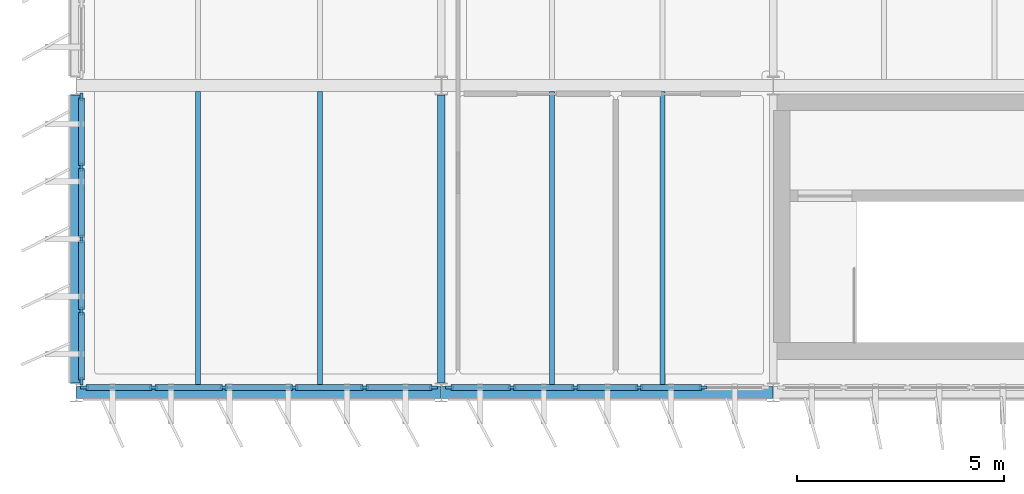
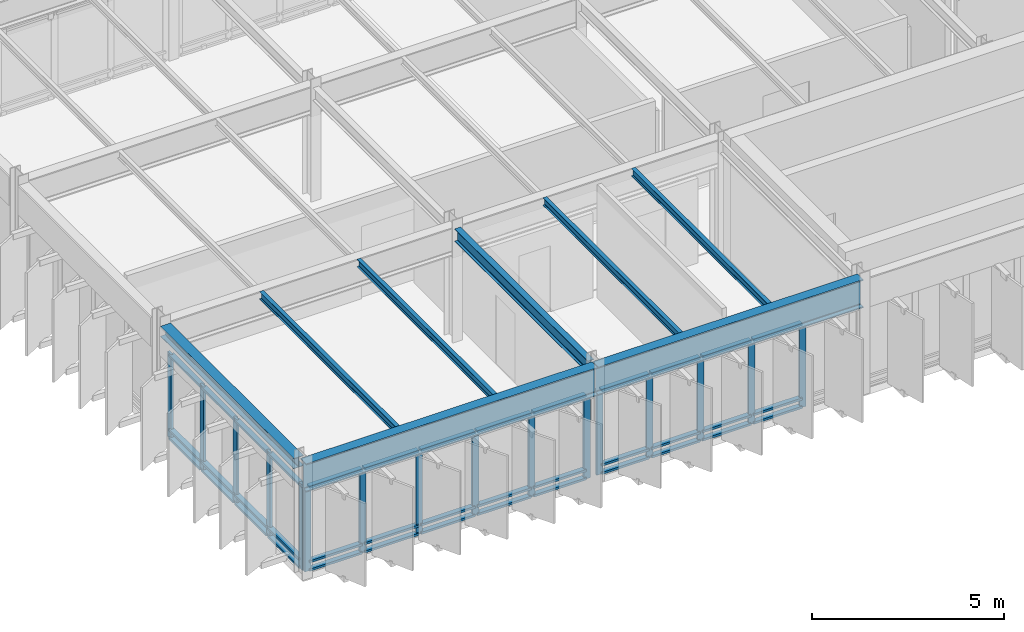
# One storey, part 3 of 20: 55 members, 8 beams, 3 elements without a shape of their own.
"""IFC4 building model written with IfcOpenShell, lengths in metres."""

from ifc_helpers import new_model, si_unit, direction, frame, origin, origin_2d, place, context, subcontext, project, spatial, rectangle, i_section, extrude, material, layer, layer_set, material_profile, profile_set, type_object, element, aggregate, save


model = new_model("IFC4")

# Units and contexts
model_context = context("Model", 3, precision=1e-05, world=origin(), true_north=direction((0.0, 1.0)))
body_context = subcontext(model_context, "Body", "Model", "MODEL_VIEW")
ifc_project = project(units=[si_unit("LENGTHUNIT", "METRE"), si_unit("AREAUNIT", "SQUARE_METRE"), si_unit("VOLUMEUNIT", "CUBIC_METRE"), si_unit("PLANEANGLEUNIT", "RADIAN"), si_unit("MASSUNIT", "GRAM", prefix="KILO")], contexts=[model_context])

# Site, building, storey
site_placement = place(None, origin())
site = spatial("IfcSite", under=ifc_project, at=site_placement, CompositionType="ELEMENT")
building_placement = place(site_placement, origin())
building = spatial("IfcBuilding", under=site, at=building_placement, Name="Valkorina Park Police Headquarters", CompositionType="ELEMENT")
storey_placement = place(building_placement, frame((0.0, 0.0, 31.10009765625)))
storey = spatial("IfcBuildingStorey", under=building, at=storey_placement, Name="L08", CompositionType="ELEMENT", Elevation=31.10009765625)

# Beams
ifc_material_1 = material(Name="Steel S355", Category="steel")
ifc_material_profile_1 = material_profile(ifc_material_1, i_section(OverallWidth=0.300048828125, OverallDepth=0.330078125, WebThickness=0.009521484375, FlangeThickness=0.0166015625, FilletRadius=0.027099609375, at=origin_2d()), Name="HEA 340")
ifc_profile_set_1 = profile_set([ifc_material_profile_1], Name="Steel S355")
beam_type_1 = type_object("IfcBeamType", Name="BM-S355-HEA340-SPN", PredefinedType="SPANDREL", material=ifc_profile_set_1)
beam_1_placement = place(storey_placement, frame((0.0, 37.22509765625, 3.454833984375), z_axis=(0.0, 1.0, 0.0), x_axis=(-1.0, 0.0, 0.0)))
element("IfcBeam", 1, at=beam_1_placement, inside=storey, type_object=beam_type_1, Name="L08 Framing Beam 2818", PredefinedType="SPANDREL", context=body_context, shape_type="SweptSolid", body=[
    extrude(i_section(OverallWidth=0.300048828125, OverallDepth=0.330078125, WebThickness=0.009521484375, FlangeThickness=0.0166015625, FilletRadius=0.027099609375, at=origin_2d()), origin(), (0.0, 0.0, 1.0), 6.949951171875),
])
ifc_material_profile_2 = material_profile(ifc_material_1, i_section(OverallWidth=0.300048828125, OverallDepth=0.89990234375, WebThickness=0.0185546875, FlangeThickness=0.034912109375, FilletRadius=0.030029296875, at=origin_2d()), Name="HEB 900")
ifc_profile_set_2 = profile_set([ifc_material_profile_2], Name="Steel S355")
beam_type_2 = type_object("IfcBeamType", Name="BM-S355-HEB900-EXT", PredefinedType="SPANDREL", material=ifc_profile_set_2)
beam_2_placement = place(storey_placement, frame((0.007080078125, 37.0, 3.169921875), z_axis=(1.0, 0.0, 0.0), x_axis=(0.0, 1.0, 0.0)))
element("IfcBeam", 2, at=beam_2_placement, inside=storey, type_object=beam_type_2, Name="L08 Framing Beam 2793", PredefinedType="SPANDREL", context=body_context, shape_type="SweptSolid", body=[
    extrude(i_section(OverallWidth=0.300048828125, OverallDepth=0.89990234375, WebThickness=0.0185546875, FlangeThickness=0.034912109375, FilletRadius=0.030029296875, at=origin_2d()), origin(), (0.0, 0.0, 1.0), 8.785888671875),
])
beam_3_placement = place(storey_placement, frame((8.806884765625, 37.0, 3.169921875), z_axis=(1.0, 0.0, 0.0), x_axis=(0.0, 1.0, 0.0)))
element("IfcBeam", 3, at=beam_3_placement, inside=storey, type_object=beam_type_2, Name="L08 Framing Beam 2794", PredefinedType="SPANDREL", context=body_context, shape_type="SweptSolid", body=[
    extrude(i_section(OverallWidth=0.300048828125, OverallDepth=0.89990234375, WebThickness=0.0185546875, FlangeThickness=0.034912109375, FilletRadius=0.030029296875, at=origin_2d()), origin(), (0.0, 0.0, 1.0), 7.986083984375),
])
ifc_material_profile_3 = material_profile(ifc_material_1, i_section(OverallWidth=0.1201171875, OverallDepth=0.239990234375, WebThickness=0.006103515625, FlangeThickness=0.009765625, FilletRadius=0.014892578125, at=origin_2d()), Name="IPE 240")
ifc_profile_set_3 = profile_set([ifc_material_profile_3], Name="Steel S355")
beam_type_3 = type_object("IfcBeamType", Name="BM-S355-IPE240-JST", PredefinedType="JOIST", material=ifc_profile_set_3)
for number, where, z_axis, x_axis, name in (
    (4, (2.933349609375, 37.14990234375, 3.5), (0.0, 1.0, 0.0), (-1.0, 0.0, 0.0), "L08 Framing Beam 2819"),
    (5, (5.86669921875, 37.14990234375, 3.5), (0.0, 1.0, 0.0), (-1.0, 0.0, 0.0), "L08 Framing Beam 2820"),
    (6, (11.466796875, 37.14990234375, 3.5), (0.0, 1.0, 0.0), (-1.0, 0.0, 0.0), "L08 Framing Beam 2828"),
    (7, (14.13330078125, 37.14990234375, 3.5), (0.0, 1.0, 0.0), (-1.0, 0.0, 0.0), "L08 Framing Beam 2829"),
):
    element("IfcBeam", number, at=place(storey_placement, frame(where, z_axis=z_axis, x_axis=x_axis)), inside=storey, type_object=beam_type_3, Name=name, PredefinedType="JOIST", context=body_context, shape_type="SweptSolid", body=[
        extrude(i_section(OverallWidth=0.1201171875, OverallDepth=0.239990234375, WebThickness=0.006103515625, FlangeThickness=0.009765625, FilletRadius=0.014892578125, at=origin_2d()), origin(), (0.0, 0.0, 1.0), 7.10009765625),
    ])
ifc_material_profile_4 = material_profile(ifc_material_1, i_section(OverallWidth=0.179931640625, OverallDepth=0.39990234375, WebThickness=0.008544921875, FlangeThickness=0.013427734375, FilletRadius=0.02099609375, at=origin_2d()), Name="IPE 400")
ifc_profile_set_4 = profile_set([ifc_material_profile_4], Name="Steel S355")
beam_type_4 = type_object("IfcBeamType", Name="BM-S355-IPE400-BM", PredefinedType="BEAM", material=ifc_profile_set_4)
beam_4_placement = place(storey_placement, frame((8.800048828125, 37.22509765625, 3.419921875), z_axis=(0.0, 1.0, 0.0), x_axis=(-1.0, 0.0, 0.0)))
element("IfcBeam", 8, at=beam_4_placement, inside=storey, type_object=beam_type_4, Name="L08 Framing Beam 2827", PredefinedType="BEAM", context=body_context, shape_type="SweptSolid", body=[
    extrude(i_section(OverallWidth=0.179931640625, OverallDepth=0.39990234375, WebThickness=0.008544921875, FlangeThickness=0.013427734375, FilletRadius=0.02099609375, at=origin_2d()), origin(), (0.0, 0.0, 1.0), 6.949951171875),
])

# Curtain wall, members
ifc_material_2 = material(Name="Thermally broken aluminium AW-6060", Category="aluminium")
ifc_layer_1 = layer(ifc_material_2, 0.18994140625)
ifc_layer_set_1 = layer_set([ifc_layer_1], Name="Thermally broken aluminium AW-6060")
curtain_wall_type_1 = type_object("IfcCurtainWallType", Name="CW-V5-7680x2710", PredefinedType="NOTDEFINED", material=ifc_layer_set_1)
curtain_wall_1_placement = place(storey_placement, origin())
curtain_wall_1 = element("IfcCurtainWall", 9, at=curtain_wall_1_placement, inside=storey, type_object=curtain_wall_type_1, Name="L08 Unitised Curtain Wall 161", PredefinedType="NOTDEFINED")
ifc_material_profile_5 = material_profile(ifc_material_2, rectangle(XDim=0.070068359375, YDim=0.18994140625, at=origin_2d()), Name="CWM-02 70x190")
ifc_profile_set_5 = profile_set([ifc_material_profile_5], Name="Thermally broken aluminium AW-6060")
member_type_1 = type_object("IfcMemberType", Name="CWM-70x190", PredefinedType="MULLION", material=ifc_profile_set_5)
member_1_placement = place(storey_placement, frame((15.10400390625, 37.1201171875, 0.0), z_axis=(0.0, 0.0, 1.0), x_axis=(0.0, -1.0, 0.0)))
member_1 = element("IfcMember", 10, at=member_1_placement, type_object=member_type_1, Name="CW-V5-768-271 mullion 2", PredefinedType="MULLION", context=body_context, shape_type="SweptSolid", body=[
    extrude(rectangle(XDim=0.070068359375, YDim=0.18994140625, at=origin_2d()), origin(), (0.0, 0.0, 1.0), 2.7099609375),
])
member_2_placement = place(storey_placement, frame((13.568115234375, 37.1201171875, 0.0), z_axis=(0.0, 0.0, 1.0), x_axis=(0.0, -1.0, 0.0)))
member_2 = element("IfcMember", 11, at=member_2_placement, type_object=member_type_1, Name="CW-V5-768-271 mullion 3", PredefinedType="MULLION", context=body_context, shape_type="SweptSolid", body=[
    extrude(rectangle(XDim=0.070068359375, YDim=0.18994140625, at=origin_2d()), origin(), (0.0, 0.0, 1.0), 2.7099609375),
])
member_3_placement = place(storey_placement, frame((12.031982421875, 37.1201171875, 0.0), z_axis=(0.0, 0.0, 1.0), x_axis=(0.0, -1.0, 0.0)))
member_3 = element("IfcMember", 12, at=member_3_placement, type_object=member_type_1, Name="CW-V5-768-271 mullion 4", PredefinedType="MULLION", context=body_context, shape_type="SweptSolid", body=[
    extrude(rectangle(XDim=0.070068359375, YDim=0.18994140625, at=origin_2d()), origin(), (0.0, 0.0, 1.0), 2.7099609375),
])
member_4_placement = place(storey_placement, frame((10.49609375, 37.1201171875, 0.0), z_axis=(0.0, 0.0, 1.0), x_axis=(0.0, -1.0, 0.0)))
member_4 = element("IfcMember", 13, at=member_4_placement, type_object=member_type_1, Name="CW-V5-768-271 mullion 5", PredefinedType="MULLION", context=body_context, shape_type="SweptSolid", body=[
    extrude(rectangle(XDim=0.070068359375, YDim=0.18994140625, at=origin_2d()), origin(), (0.0, 0.0, 1.0), 2.7099609375),
])
member_5_placement = place(storey_placement, frame((8.9951171875, 37.1201171875, 0.0), z_axis=(0.0, 0.0, 1.0), x_axis=(0.0, -1.0, 0.0)))
member_5 = element("IfcMember", 14, at=member_5_placement, type_object=member_type_1, Name="CW-V5-768-271 mullion 6", PredefinedType="MULLION", context=body_context, shape_type="SweptSolid", body=[
    extrude(rectangle(XDim=0.070068359375, YDim=0.18994140625, at=origin_2d()), origin(), (0.0, 0.0, 1.0), 2.7099609375),
])

ifc_layer_2 = layer(ifc_material_2, 0.18994140625)
ifc_layer_set_2 = layer_set([ifc_layer_2], Name="Thermally broken aluminium AW-6060")
curtain_wall_type_2 = type_object("IfcCurtainWallType", Name="CW-V5-8480x2710", PredefinedType="NOTDEFINED", material=ifc_layer_set_2)
curtain_wall_2_placement = place(storey_placement, origin())
curtain_wall_2 = element("IfcCurtainWall", 15, at=curtain_wall_2_placement, inside=storey, type_object=curtain_wall_type_2, Name="L08 Unitised Curtain Wall 162", PredefinedType="NOTDEFINED")
member_6_placement = place(storey_placement, frame((8.60498046875, 37.1201171875, 0.0), z_axis=(0.0, 0.0, 1.0), x_axis=(0.0, -1.0, 0.0)))
member_6 = element("IfcMember", 16, at=member_6_placement, type_object=member_type_1, Name="CW-V5-848-271 mullion 1", PredefinedType="MULLION", context=body_context, shape_type="SweptSolid", body=[
    extrude(rectangle(XDim=0.070068359375, YDim=0.18994140625, at=origin_2d()), origin(), (0.0, 0.0, 1.0), 2.7099609375),
])
member_7_placement = place(storey_placement, frame((6.944091796875, 37.1201171875, 0.0), z_axis=(0.0, 0.0, 1.0), x_axis=(0.0, -1.0, 0.0)))
member_7 = element("IfcMember", 17, at=member_7_placement, type_object=member_type_1, Name="CW-V5-848-271 mullion 2", PredefinedType="MULLION", context=body_context, shape_type="SweptSolid", body=[
    extrude(rectangle(XDim=0.070068359375, YDim=0.18994140625, at=origin_2d()), origin(), (0.0, 0.0, 1.0), 2.7099609375),
])
member_8_placement = place(storey_placement, frame((5.248046875, 37.1201171875, 0.0), z_axis=(0.0, 0.0, 1.0), x_axis=(0.0, -1.0, 0.0)))
member_8 = element("IfcMember", 18, at=member_8_placement, type_object=member_type_1, Name="CW-V5-848-271 mullion 3", PredefinedType="MULLION", context=body_context, shape_type="SweptSolid", body=[
    extrude(rectangle(XDim=0.070068359375, YDim=0.18994140625, at=origin_2d()), origin(), (0.0, 0.0, 1.0), 2.7099609375),
])
member_9_placement = place(storey_placement, frame((3.552001953125, 37.1201171875, 0.0), z_axis=(0.0, 0.0, 1.0), x_axis=(0.0, -1.0, 0.0)))
member_9 = element("IfcMember", 19, at=member_9_placement, type_object=member_type_1, Name="CW-V5-848-271 mullion 4", PredefinedType="MULLION", context=body_context, shape_type="SweptSolid", body=[
    extrude(rectangle(XDim=0.070068359375, YDim=0.18994140625, at=origin_2d()), origin(), (0.0, 0.0, 1.0), 2.7099609375),
])
member_10_placement = place(storey_placement, frame((1.85595703125, 37.1201171875, 0.0), z_axis=(0.0, 0.0, 1.0), x_axis=(0.0, -1.0, 0.0)))
member_10 = element("IfcMember", 20, at=member_10_placement, type_object=member_type_1, Name="CW-V5-848-271 mullion 5", PredefinedType="MULLION", context=body_context, shape_type="SweptSolid", body=[
    extrude(rectangle(XDim=0.070068359375, YDim=0.18994140625, at=origin_2d()), origin(), (0.0, 0.0, 1.0), 2.7099609375),
])
member_11_placement = place(storey_placement, frame((0.195068359375, 37.1201171875, 0.0), z_axis=(0.0, 0.0, 1.0), x_axis=(0.0, -1.0, 0.0)))
member_11 = element("IfcMember", 21, at=member_11_placement, type_object=member_type_1, Name="CW-V5-848-271 mullion 6", PredefinedType="MULLION", context=body_context, shape_type="SweptSolid", body=[
    extrude(rectangle(XDim=0.070068359375, YDim=0.18994140625, at=origin_2d()), origin(), (0.0, 0.0, 1.0), 2.7099609375),
])

ifc_layer_3 = layer(ifc_material_2, 0.18994140625)
ifc_layer_set_3 = layer_set([ifc_layer_3], Name="Thermally broken aluminium AW-6060")
curtain_wall_type_3 = type_object("IfcCurtainWallType", Name="CW-V5-6930x2710", PredefinedType="NOTDEFINED", material=ifc_layer_set_3)
curtain_wall_3_placement = place(storey_placement, origin())
curtain_wall_3 = element("IfcCurtainWall", 22, at=curtain_wall_3_placement, inside=storey, type_object=curtain_wall_type_3, Name="L08 Unitised Curtain Wall 163", PredefinedType="NOTDEFINED")
member_12_placement = place(storey_placement, frame((0.1201171875, 37.27001953125, 0.0), z_axis=(0.0, 0.0, 1.0), x_axis=(-1.0, 0.0, 0.0)))
member_12 = element("IfcMember", 23, at=member_12_placement, type_object=member_type_1, Name="CW-V5-693-271 mullion 1", PredefinedType="MULLION", context=body_context, shape_type="SweptSolid", body=[
    extrude(rectangle(XDim=0.070068359375, YDim=0.18994140625, at=origin_2d()), origin(), (0.0, 0.0, 1.0), 2.7099609375),
])
member_13_placement = place(storey_placement, frame((0.1201171875, 38.967529296875, 0.0), z_axis=(0.0, 0.0, 1.0), x_axis=(-1.0, 0.0, 0.0)))
member_13 = element("IfcMember", 24, at=member_13_placement, type_object=member_type_1, Name="CW-V5-693-271 mullion 2", PredefinedType="MULLION", context=body_context, shape_type="SweptSolid", body=[
    extrude(rectangle(XDim=0.070068359375, YDim=0.18994140625, at=origin_2d()), origin(), (0.0, 0.0, 1.0), 2.7099609375),
])
member_14_placement = place(storey_placement, frame((0.1201171875, 40.699951171875, 0.0), z_axis=(0.0, 0.0, 1.0), x_axis=(-1.0, 0.0, 0.0)))
member_14 = element("IfcMember", 25, at=member_14_placement, type_object=member_type_1, Name="CW-V5-693-271 mullion 3", PredefinedType="MULLION", context=body_context, shape_type="SweptSolid", body=[
    extrude(rectangle(XDim=0.070068359375, YDim=0.18994140625, at=origin_2d()), origin(), (0.0, 0.0, 1.0), 2.7099609375),
])
member_15_placement = place(storey_placement, frame((0.1201171875, 42.4326171875, 0.0), z_axis=(0.0, 0.0, 1.0), x_axis=(-1.0, 0.0, 0.0)))
member_15 = element("IfcMember", 26, at=member_15_placement, type_object=member_type_1, Name="CW-V5-693-271 mullion 4", PredefinedType="MULLION", context=body_context, shape_type="SweptSolid", body=[
    extrude(rectangle(XDim=0.070068359375, YDim=0.18994140625, at=origin_2d()), origin(), (0.0, 0.0, 1.0), 2.7099609375),
])
member_16_placement = place(storey_placement, frame((0.1201171875, 44.1298828125, 0.0), z_axis=(0.0, 0.0, 1.0), x_axis=(-1.0, 0.0, 0.0)))
member_16 = element("IfcMember", 27, at=member_16_placement, type_object=member_type_1, Name="CW-V5-693-271 mullion 5", PredefinedType="MULLION", context=body_context, shape_type="SweptSolid", body=[
    extrude(rectangle(XDim=0.070068359375, YDim=0.18994140625, at=origin_2d()), origin(), (0.0, 0.0, 1.0), 2.7099609375),
])

# Member
ifc_material_profile_6 = material_profile(ifc_material_2, rectangle(XDim=0.14990234375, YDim=0.070068359375, at=origin_2d()), Name="CWT-02 150x70")
ifc_profile_set_6 = profile_set([ifc_material_profile_6], Name="Thermally broken aluminium AW-6060")
member_type_2 = type_object("IfcMemberType", Name="CWT-150x70", PredefinedType="USERDEFINED", material=ifc_profile_set_6)
member_17_placement = place(storey_placement, frame((15.069091796875, 37.1201171875, 0.034912109375), z_axis=(-1.0, 0.0, 0.0), x_axis=(0.0, -1.0, 0.0)))
member_17 = element("IfcMember", 28, at=member_17_placement, type_object=member_type_2, Name="CW-V5-768-271 transom 2.1", ObjectType="TRANSOM", PredefinedType="USERDEFINED", context=body_context, shape_type="SweptSolid", body=[
    extrude(rectangle(XDim=0.14990234375, YDim=0.070068359375, at=origin_2d()), origin(), (0.0, 0.0, 1.0), 1.466064453125),
])

member_18_placement = place(storey_placement, frame((15.069091796875, 37.1201171875, 0.2998046875), z_axis=(-1.0, 0.0, 0.0), x_axis=(0.0, -1.0, 0.0)))
member_18 = element("IfcMember", 29, at=member_18_placement, type_object=member_type_2, Name="CW-V5-768-271 transom 2.2", ObjectType="TRANSOM", PredefinedType="USERDEFINED", context=body_context, shape_type="SweptSolid", body=[
    extrude(rectangle(XDim=0.14990234375, YDim=0.070068359375, at=origin_2d()), origin(), (0.0, 0.0, 1.0), 1.466064453125),
])

member_19_placement = place(storey_placement, frame((15.069091796875, 37.1201171875, 2.6748046875), z_axis=(-1.0, 0.0, 0.0), x_axis=(0.0, -1.0, 0.0)))
member_19 = element("IfcMember", 30, at=member_19_placement, type_object=member_type_2, Name="CW-V5-768-271 transom 2.3", ObjectType="TRANSOM", PredefinedType="USERDEFINED", context=body_context, shape_type="SweptSolid", body=[
    extrude(rectangle(XDim=0.14990234375, YDim=0.070068359375, at=origin_2d()), origin(), (0.0, 0.0, 1.0), 1.466064453125),
])

member_20_placement = place(storey_placement, frame((13.532958984375, 37.1201171875, 0.034912109375), z_axis=(-1.0, 0.0, 0.0), x_axis=(0.0, -1.0, 0.0)))
member_20 = element("IfcMember", 31, at=member_20_placement, type_object=member_type_2, Name="CW-V5-768-271 transom 3.1", ObjectType="TRANSOM", PredefinedType="USERDEFINED", context=body_context, shape_type="SweptSolid", body=[
    extrude(rectangle(XDim=0.14990234375, YDim=0.070068359375, at=origin_2d()), origin(), (0.0, 0.0, 1.0), 1.466064453125),
])

member_21_placement = place(storey_placement, frame((13.532958984375, 37.1201171875, 0.2998046875), z_axis=(-1.0, 0.0, 0.0), x_axis=(0.0, -1.0, 0.0)))
member_21 = element("IfcMember", 32, at=member_21_placement, type_object=member_type_2, Name="CW-V5-768-271 transom 3.2", ObjectType="TRANSOM", PredefinedType="USERDEFINED", context=body_context, shape_type="SweptSolid", body=[
    extrude(rectangle(XDim=0.14990234375, YDim=0.070068359375, at=origin_2d()), origin(), (0.0, 0.0, 1.0), 1.466064453125),
])

member_22_placement = place(storey_placement, frame((13.532958984375, 37.1201171875, 2.6748046875), z_axis=(-1.0, 0.0, 0.0), x_axis=(0.0, -1.0, 0.0)))
member_22 = element("IfcMember", 33, at=member_22_placement, type_object=member_type_2, Name="CW-V5-768-271 transom 3.3", ObjectType="TRANSOM", PredefinedType="USERDEFINED", context=body_context, shape_type="SweptSolid", body=[
    extrude(rectangle(XDim=0.14990234375, YDim=0.070068359375, at=origin_2d()), origin(), (0.0, 0.0, 1.0), 1.466064453125),
])

member_23_placement = place(storey_placement, frame((11.9970703125, 37.1201171875, 0.034912109375), z_axis=(-1.0, 0.0, 0.0), x_axis=(0.0, -1.0, 0.0)))
member_23 = element("IfcMember", 34, at=member_23_placement, type_object=member_type_2, Name="CW-V5-768-271 transom 4.1", ObjectType="TRANSOM", PredefinedType="USERDEFINED", context=body_context, shape_type="SweptSolid", body=[
    extrude(rectangle(XDim=0.14990234375, YDim=0.070068359375, at=origin_2d()), origin(), (0.0, 0.0, 1.0), 1.466064453125),
])

member_24_placement = place(storey_placement, frame((11.9970703125, 37.1201171875, 0.2998046875), z_axis=(-1.0, 0.0, 0.0), x_axis=(0.0, -1.0, 0.0)))
member_24 = element("IfcMember", 35, at=member_24_placement, type_object=member_type_2, Name="CW-V5-768-271 transom 4.2", ObjectType="TRANSOM", PredefinedType="USERDEFINED", context=body_context, shape_type="SweptSolid", body=[
    extrude(rectangle(XDim=0.14990234375, YDim=0.070068359375, at=origin_2d()), origin(), (0.0, 0.0, 1.0), 1.466064453125),
])

member_25_placement = place(storey_placement, frame((11.9970703125, 37.1201171875, 2.6748046875), z_axis=(-1.0, 0.0, 0.0), x_axis=(0.0, -1.0, 0.0)))
member_25 = element("IfcMember", 36, at=member_25_placement, type_object=member_type_2, Name="CW-V5-768-271 transom 4.3", ObjectType="TRANSOM", PredefinedType="USERDEFINED", context=body_context, shape_type="SweptSolid", body=[
    extrude(rectangle(XDim=0.14990234375, YDim=0.070068359375, at=origin_2d()), origin(), (0.0, 0.0, 1.0), 1.466064453125),
])

member_26_placement = place(storey_placement, frame((10.4609375, 37.1201171875, 0.034912109375), z_axis=(-1.0, 0.0, 0.0), x_axis=(0.0, -1.0, 0.0)))
member_26 = element("IfcMember", 37, at=member_26_placement, type_object=member_type_2, Name="CW-V5-768-271 transom 5.1", ObjectType="TRANSOM", PredefinedType="USERDEFINED", context=body_context, shape_type="SweptSolid", body=[
    extrude(rectangle(XDim=0.14990234375, YDim=0.070068359375, at=origin_2d()), origin(), (0.0, 0.0, 1.0), 1.430908203125),
])

member_27_placement = place(storey_placement, frame((10.4609375, 37.1201171875, 0.2998046875), z_axis=(-1.0, 0.0, 0.0), x_axis=(0.0, -1.0, 0.0)))
member_27 = element("IfcMember", 38, at=member_27_placement, type_object=member_type_2, Name="CW-V5-768-271 transom 5.2", ObjectType="TRANSOM", PredefinedType="USERDEFINED", context=body_context, shape_type="SweptSolid", body=[
    extrude(rectangle(XDim=0.14990234375, YDim=0.070068359375, at=origin_2d()), origin(), (0.0, 0.0, 1.0), 1.430908203125),
])

member_28_placement = place(storey_placement, frame((10.4609375, 37.1201171875, 2.6748046875), z_axis=(-1.0, 0.0, 0.0), x_axis=(0.0, -1.0, 0.0)))
member_28 = element("IfcMember", 39, at=member_28_placement, type_object=member_type_2, Name="CW-V5-768-271 transom 5.3", ObjectType="TRANSOM", PredefinedType="USERDEFINED", context=body_context, shape_type="SweptSolid", body=[
    extrude(rectangle(XDim=0.14990234375, YDim=0.070068359375, at=origin_2d()), origin(), (0.0, 0.0, 1.0), 1.430908203125),
])

aggregate(curtain_wall_1, [member_1, member_2, member_3, member_4, member_5, member_17, member_18, member_19, member_20, member_21, member_22, member_23, member_24, member_25, member_26, member_27, member_28])

member_29_placement = place(storey_placement, frame((8.570068359375, 37.1201171875, 0.034912109375), z_axis=(-1.0, 0.0, 0.0), x_axis=(0.0, -1.0, 0.0)))
member_29 = element("IfcMember", 40, at=member_29_placement, type_object=member_type_2, Name="CW-V5-848-271 transom 1.1", ObjectType="TRANSOM", PredefinedType="USERDEFINED", context=body_context, shape_type="SweptSolid", body=[
    extrude(rectangle(XDim=0.14990234375, YDim=0.070068359375, at=origin_2d()), origin(), (0.0, 0.0, 1.0), 1.591064453125),
])

member_30_placement = place(storey_placement, frame((8.570068359375, 37.1201171875, 0.2998046875), z_axis=(-1.0, 0.0, 0.0), x_axis=(0.0, -1.0, 0.0)))
member_30 = element("IfcMember", 41, at=member_30_placement, type_object=member_type_2, Name="CW-V5-848-271 transom 1.2", ObjectType="TRANSOM", PredefinedType="USERDEFINED", context=body_context, shape_type="SweptSolid", body=[
    extrude(rectangle(XDim=0.14990234375, YDim=0.070068359375, at=origin_2d()), origin(), (0.0, 0.0, 1.0), 1.591064453125),
])

member_31_placement = place(storey_placement, frame((8.570068359375, 37.1201171875, 2.6748046875), z_axis=(-1.0, 0.0, 0.0), x_axis=(0.0, -1.0, 0.0)))
member_31 = element("IfcMember", 42, at=member_31_placement, type_object=member_type_2, Name="CW-V5-848-271 transom 1.3", ObjectType="TRANSOM", PredefinedType="USERDEFINED", context=body_context, shape_type="SweptSolid", body=[
    extrude(rectangle(XDim=0.14990234375, YDim=0.070068359375, at=origin_2d()), origin(), (0.0, 0.0, 1.0), 1.591064453125),
])

member_32_placement = place(storey_placement, frame((6.908935546875, 37.1201171875, 0.034912109375), z_axis=(-1.0, 0.0, 0.0), x_axis=(0.0, -1.0, 0.0)))
member_32 = element("IfcMember", 43, at=member_32_placement, type_object=member_type_2, Name="CW-V5-848-271 transom 2.1", ObjectType="TRANSOM", PredefinedType="USERDEFINED", context=body_context, shape_type="SweptSolid", body=[
    extrude(rectangle(XDim=0.14990234375, YDim=0.070068359375, at=origin_2d()), origin(), (0.0, 0.0, 1.0), 1.6259765625),
])

member_33_placement = place(storey_placement, frame((6.908935546875, 37.1201171875, 0.2998046875), z_axis=(-1.0, 0.0, 0.0), x_axis=(0.0, -1.0, 0.0)))
member_33 = element("IfcMember", 44, at=member_33_placement, type_object=member_type_2, Name="CW-V5-848-271 transom 2.2", ObjectType="TRANSOM", PredefinedType="USERDEFINED", context=body_context, shape_type="SweptSolid", body=[
    extrude(rectangle(XDim=0.14990234375, YDim=0.070068359375, at=origin_2d()), origin(), (0.0, 0.0, 1.0), 1.6259765625),
])

member_34_placement = place(storey_placement, frame((6.908935546875, 37.1201171875, 2.6748046875), z_axis=(-1.0, 0.0, 0.0), x_axis=(0.0, -1.0, 0.0)))
member_34 = element("IfcMember", 45, at=member_34_placement, type_object=member_type_2, Name="CW-V5-848-271 transom 2.3", ObjectType="TRANSOM", PredefinedType="USERDEFINED", context=body_context, shape_type="SweptSolid", body=[
    extrude(rectangle(XDim=0.14990234375, YDim=0.070068359375, at=origin_2d()), origin(), (0.0, 0.0, 1.0), 1.6259765625),
])

member_35_placement = place(storey_placement, frame((5.212890625, 37.1201171875, 0.034912109375), z_axis=(-1.0, 0.0, 0.0), x_axis=(0.0, -1.0, 0.0)))
member_35 = element("IfcMember", 46, at=member_35_placement, type_object=member_type_2, Name="CW-V5-848-271 transom 3.1", ObjectType="TRANSOM", PredefinedType="USERDEFINED", context=body_context, shape_type="SweptSolid", body=[
    extrude(rectangle(XDim=0.14990234375, YDim=0.070068359375, at=origin_2d()), origin(), (0.0, 0.0, 1.0), 1.6259765625),
])

member_36_placement = place(storey_placement, frame((5.212890625, 37.1201171875, 0.2998046875), z_axis=(-1.0, 0.0, 0.0), x_axis=(0.0, -1.0, 0.0)))
member_36 = element("IfcMember", 47, at=member_36_placement, type_object=member_type_2, Name="CW-V5-848-271 transom 3.2", ObjectType="TRANSOM", PredefinedType="USERDEFINED", context=body_context, shape_type="SweptSolid", body=[
    extrude(rectangle(XDim=0.14990234375, YDim=0.070068359375, at=origin_2d()), origin(), (0.0, 0.0, 1.0), 1.6259765625),
])

member_37_placement = place(storey_placement, frame((5.212890625, 37.1201171875, 2.6748046875), z_axis=(-1.0, 0.0, 0.0), x_axis=(0.0, -1.0, 0.0)))
member_37 = element("IfcMember", 48, at=member_37_placement, type_object=member_type_2, Name="CW-V5-848-271 transom 3.3", ObjectType="TRANSOM", PredefinedType="USERDEFINED", context=body_context, shape_type="SweptSolid", body=[
    extrude(rectangle(XDim=0.14990234375, YDim=0.070068359375, at=origin_2d()), origin(), (0.0, 0.0, 1.0), 1.6259765625),
])

member_38_placement = place(storey_placement, frame((3.51708984375, 37.1201171875, 0.034912109375), z_axis=(-1.0, 0.0, 0.0), x_axis=(0.0, -1.0, 0.0)))
member_38 = element("IfcMember", 49, at=member_38_placement, type_object=member_type_2, Name="CW-V5-848-271 transom 4.1", ObjectType="TRANSOM", PredefinedType="USERDEFINED", context=body_context, shape_type="SweptSolid", body=[
    extrude(rectangle(XDim=0.14990234375, YDim=0.070068359375, at=origin_2d()), origin(), (0.0, 0.0, 1.0), 1.6259765625),
])

member_39_placement = place(storey_placement, frame((3.51708984375, 37.1201171875, 0.2998046875), z_axis=(-1.0, 0.0, 0.0), x_axis=(0.0, -1.0, 0.0)))
member_39 = element("IfcMember", 50, at=member_39_placement, type_object=member_type_2, Name="CW-V5-848-271 transom 4.2", ObjectType="TRANSOM", PredefinedType="USERDEFINED", context=body_context, shape_type="SweptSolid", body=[
    extrude(rectangle(XDim=0.14990234375, YDim=0.070068359375, at=origin_2d()), origin(), (0.0, 0.0, 1.0), 1.6259765625),
])

member_40_placement = place(storey_placement, frame((3.51708984375, 37.1201171875, 2.6748046875), z_axis=(-1.0, 0.0, 0.0), x_axis=(0.0, -1.0, 0.0)))
member_40 = element("IfcMember", 51, at=member_40_placement, type_object=member_type_2, Name="CW-V5-848-271 transom 4.3", ObjectType="TRANSOM", PredefinedType="USERDEFINED", context=body_context, shape_type="SweptSolid", body=[
    extrude(rectangle(XDim=0.14990234375, YDim=0.070068359375, at=origin_2d()), origin(), (0.0, 0.0, 1.0), 1.6259765625),
])

member_41_placement = place(storey_placement, frame((1.821044921875, 37.1201171875, 0.034912109375), z_axis=(-1.0, 0.0, 0.0), x_axis=(0.0, -1.0, 0.0)))
member_41 = element("IfcMember", 52, at=member_41_placement, type_object=member_type_2, Name="CW-V5-848-271 transom 5.1", ObjectType="TRANSOM", PredefinedType="USERDEFINED", context=body_context, shape_type="SweptSolid", body=[
    extrude(rectangle(XDim=0.14990234375, YDim=0.070068359375, at=origin_2d()), origin(), (0.0, 0.0, 1.0), 1.591064453125),
])

member_42_placement = place(storey_placement, frame((1.821044921875, 37.1201171875, 0.2998046875), z_axis=(-1.0, 0.0, 0.0), x_axis=(0.0, -1.0, 0.0)))
member_42 = element("IfcMember", 53, at=member_42_placement, type_object=member_type_2, Name="CW-V5-848-271 transom 5.2", ObjectType="TRANSOM", PredefinedType="USERDEFINED", context=body_context, shape_type="SweptSolid", body=[
    extrude(rectangle(XDim=0.14990234375, YDim=0.070068359375, at=origin_2d()), origin(), (0.0, 0.0, 1.0), 1.591064453125),
])

member_43_placement = place(storey_placement, frame((1.821044921875, 37.1201171875, 2.6748046875), z_axis=(-1.0, 0.0, 0.0), x_axis=(0.0, -1.0, 0.0)))
member_43 = element("IfcMember", 54, at=member_43_placement, type_object=member_type_2, Name="CW-V5-848-271 transom 5.3", ObjectType="TRANSOM", PredefinedType="USERDEFINED", context=body_context, shape_type="SweptSolid", body=[
    extrude(rectangle(XDim=0.14990234375, YDim=0.070068359375, at=origin_2d()), origin(), (0.0, 0.0, 1.0), 1.591064453125),
])

aggregate(curtain_wall_2, [member_6, member_7, member_8, member_9, member_10, member_11, member_29, member_30, member_31, member_32, member_33, member_34, member_35, member_36, member_37, member_38, member_39, member_40, member_41, member_42, member_43])

member_44_placement = place(storey_placement, frame((0.1201171875, 37.304931640625, 0.034912109375), z_axis=(0.0, 1.0, 0.0), x_axis=(-1.0, 0.0, 0.0)))
member_44 = element("IfcMember", 55, at=member_44_placement, type_object=member_type_2, Name="CW-V5-693-271 transom 1.1", ObjectType="TRANSOM", PredefinedType="USERDEFINED", context=body_context, shape_type="SweptSolid", body=[
    extrude(rectangle(XDim=0.14990234375, YDim=0.070068359375, at=origin_2d()), origin(), (0.0, 0.0, 1.0), 1.627685546875),
])

member_45_placement = place(storey_placement, frame((0.1201171875, 37.304931640625, 0.2998046875), z_axis=(0.0, 1.0, 0.0), x_axis=(-1.0, 0.0, 0.0)))
member_45 = element("IfcMember", 56, at=member_45_placement, type_object=member_type_2, Name="CW-V5-693-271 transom 1.2", ObjectType="TRANSOM", PredefinedType="USERDEFINED", context=body_context, shape_type="SweptSolid", body=[
    extrude(rectangle(XDim=0.14990234375, YDim=0.070068359375, at=origin_2d()), origin(), (0.0, 0.0, 1.0), 1.627685546875),
])

member_46_placement = place(storey_placement, frame((0.1201171875, 37.304931640625, 2.6748046875), z_axis=(0.0, 1.0, 0.0), x_axis=(-1.0, 0.0, 0.0)))
member_46 = element("IfcMember", 57, at=member_46_placement, type_object=member_type_2, Name="CW-V5-693-271 transom 1.3", ObjectType="TRANSOM", PredefinedType="USERDEFINED", context=body_context, shape_type="SweptSolid", body=[
    extrude(rectangle(XDim=0.14990234375, YDim=0.070068359375, at=origin_2d()), origin(), (0.0, 0.0, 1.0), 1.627685546875),
])

member_47_placement = place(storey_placement, frame((0.1201171875, 39.00244140625, 0.034912109375), z_axis=(0.0, 1.0, 0.0), x_axis=(-1.0, 0.0, 0.0)))
member_47 = element("IfcMember", 58, at=member_47_placement, type_object=member_type_2, Name="CW-V5-693-271 transom 2.1", ObjectType="TRANSOM", PredefinedType="USERDEFINED", context=body_context, shape_type="SweptSolid", body=[
    extrude(rectangle(XDim=0.14990234375, YDim=0.070068359375, at=origin_2d()), origin(), (0.0, 0.0, 1.0), 1.66259765625),
])

member_48_placement = place(storey_placement, frame((0.1201171875, 39.00244140625, 0.2998046875), z_axis=(0.0, 1.0, 0.0), x_axis=(-1.0, 0.0, 0.0)))
member_48 = element("IfcMember", 59, at=member_48_placement, type_object=member_type_2, Name="CW-V5-693-271 transom 2.2", ObjectType="TRANSOM", PredefinedType="USERDEFINED", context=body_context, shape_type="SweptSolid", body=[
    extrude(rectangle(XDim=0.14990234375, YDim=0.070068359375, at=origin_2d()), origin(), (0.0, 0.0, 1.0), 1.66259765625),
])

member_49_placement = place(storey_placement, frame((0.1201171875, 39.00244140625, 2.6748046875), z_axis=(0.0, 1.0, 0.0), x_axis=(-1.0, 0.0, 0.0)))
member_49 = element("IfcMember", 60, at=member_49_placement, type_object=member_type_2, Name="CW-V5-693-271 transom 2.3", ObjectType="TRANSOM", PredefinedType="USERDEFINED", context=body_context, shape_type="SweptSolid", body=[
    extrude(rectangle(XDim=0.14990234375, YDim=0.070068359375, at=origin_2d()), origin(), (0.0, 0.0, 1.0), 1.66259765625),
])

member_50_placement = place(storey_placement, frame((0.1201171875, 40.735107421875, 0.034912109375), z_axis=(0.0, 1.0, 0.0), x_axis=(-1.0, 0.0, 0.0)))
member_50 = element("IfcMember", 61, at=member_50_placement, type_object=member_type_2, Name="CW-V5-693-271 transom 3.1", ObjectType="TRANSOM", PredefinedType="USERDEFINED", context=body_context, shape_type="SweptSolid", body=[
    extrude(rectangle(XDim=0.14990234375, YDim=0.070068359375, at=origin_2d()), origin(), (0.0, 0.0, 1.0), 1.662353515625),
])

member_51_placement = place(storey_placement, frame((0.1201171875, 40.735107421875, 0.2998046875), z_axis=(0.0, 1.0, 0.0), x_axis=(-1.0, 0.0, 0.0)))
member_51 = element("IfcMember", 62, at=member_51_placement, type_object=member_type_2, Name="CW-V5-693-271 transom 3.2", ObjectType="TRANSOM", PredefinedType="USERDEFINED", context=body_context, shape_type="SweptSolid", body=[
    extrude(rectangle(XDim=0.14990234375, YDim=0.070068359375, at=origin_2d()), origin(), (0.0, 0.0, 1.0), 1.662353515625),
])

member_52_placement = place(storey_placement, frame((0.1201171875, 40.735107421875, 2.6748046875), z_axis=(0.0, 1.0, 0.0), x_axis=(-1.0, 0.0, 0.0)))
member_52 = element("IfcMember", 63, at=member_52_placement, type_object=member_type_2, Name="CW-V5-693-271 transom 3.3", ObjectType="TRANSOM", PredefinedType="USERDEFINED", context=body_context, shape_type="SweptSolid", body=[
    extrude(rectangle(XDim=0.14990234375, YDim=0.070068359375, at=origin_2d()), origin(), (0.0, 0.0, 1.0), 1.662353515625),
])

member_53_placement = place(storey_placement, frame((0.1201171875, 42.467529296875, 0.034912109375), z_axis=(0.0, 1.0, 0.0), x_axis=(-1.0, 0.0, 0.0)))
member_53 = element("IfcMember", 64, at=member_53_placement, type_object=member_type_2, Name="CW-V5-693-271 transom 4.1", ObjectType="TRANSOM", PredefinedType="USERDEFINED", context=body_context, shape_type="SweptSolid", body=[
    extrude(rectangle(XDim=0.14990234375, YDim=0.070068359375, at=origin_2d()), origin(), (0.0, 0.0, 1.0), 1.62744140625),
])

member_54_placement = place(storey_placement, frame((0.1201171875, 42.467529296875, 0.2998046875), z_axis=(0.0, 1.0, 0.0), x_axis=(-1.0, 0.0, 0.0)))
member_54 = element("IfcMember", 65, at=member_54_placement, type_object=member_type_2, Name="CW-V5-693-271 transom 4.2", ObjectType="TRANSOM", PredefinedType="USERDEFINED", context=body_context, shape_type="SweptSolid", body=[
    extrude(rectangle(XDim=0.14990234375, YDim=0.070068359375, at=origin_2d()), origin(), (0.0, 0.0, 1.0), 1.62744140625),
])

member_55_placement = place(storey_placement, frame((0.1201171875, 42.467529296875, 2.6748046875), z_axis=(0.0, 1.0, 0.0), x_axis=(-1.0, 0.0, 0.0)))
member_55 = element("IfcMember", 66, at=member_55_placement, type_object=member_type_2, Name="CW-V5-693-271 transom 4.3", ObjectType="TRANSOM", PredefinedType="USERDEFINED", context=body_context, shape_type="SweptSolid", body=[
    extrude(rectangle(XDim=0.14990234375, YDim=0.070068359375, at=origin_2d()), origin(), (0.0, 0.0, 1.0), 1.62744140625),
])

aggregate(curtain_wall_3, [member_12, member_13, member_14, member_15, member_16, member_44, member_45, member_46, member_47, member_48, member_49, member_50, member_51, member_52, member_53, member_54, member_55])

save(model, "model.ifc")
